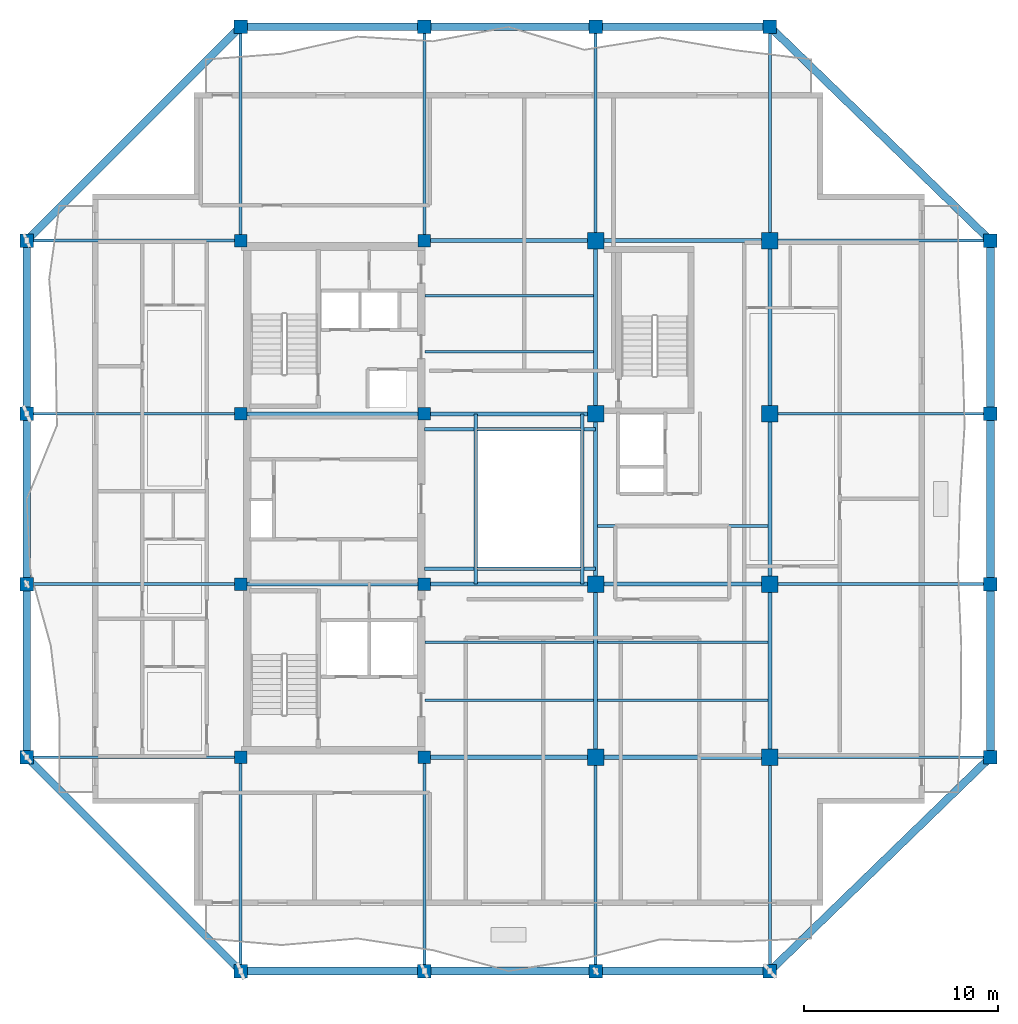
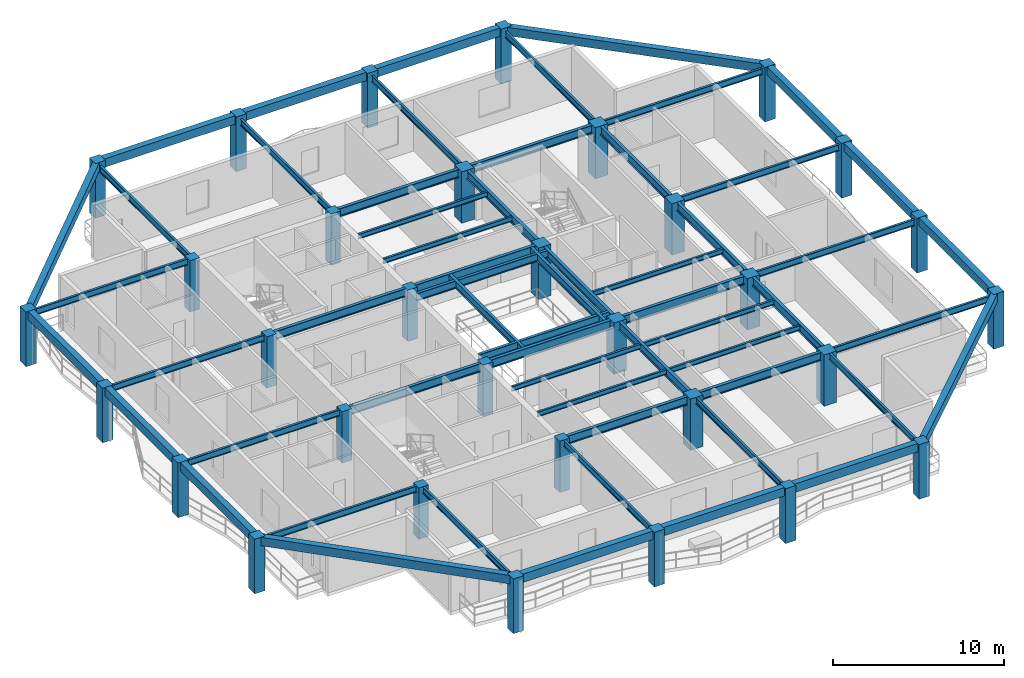
# One storey, part 1 of 11: 58 beams, 32 columns.
"""IFC4 building model written with IfcOpenShell, lengths in metres."""

from ifc_helpers import new_model, si_unit, direction, frame, origin, origin_2d, place, context, subcontext, project, spatial, rectangle, i_section, extrude, material, material_profile, profile_set, type_object, element, save


model = new_model("IFC4")

# Units and contexts
model_context = context("Model", 3, precision=1e-05, world=origin(), true_north=direction((0.0, 1.0)))
body_context = subcontext(model_context, "Body", "Model", "MODEL_VIEW")
ifc_project = project(units=[si_unit("LENGTHUNIT", "METRE"), si_unit("AREAUNIT", "SQUARE_METRE"), si_unit("VOLUMEUNIT", "CUBIC_METRE"), si_unit("PLANEANGLEUNIT", "RADIAN"), si_unit("MASSUNIT", "GRAM", prefix="KILO")], contexts=[model_context])

# Site, building, storey
site_placement = place(None, origin())
site = spatial("IfcSite", under=ifc_project, at=site_placement, CompositionType="ELEMENT")
building_placement = place(site_placement, origin())
building = spatial("IfcBuilding", under=site, at=building_placement, Name="Kundavana Baori Tower", CompositionType="ELEMENT")
storey_placement = place(building_placement, frame((0.0, 0.0, 260.89990234375)))
storey = spatial("IfcBuildingStorey", under=building, at=storey_placement, Name="L64", CompositionType="ELEMENT", Elevation=260.89990234375)

# Columns
ifc_material_1 = material(Name="Concrete C50/60", Category="concrete")
ifc_material_profile_1 = material_profile(ifc_material_1, rectangle(XDim=0.699951171875, YDim=0.699951171875, at=origin_2d()), Name="RC PF 700x700")
ifc_profile_set_1 = profile_set([ifc_material_profile_1], Name="Concrete C50/60")
column_type_1 = type_object("IfcColumnType", Name="COL-PF-700", PredefinedType="COLUMN", material=ifc_profile_set_1)
for number, where, z_axis, x_axis, name in (
    (1, (15.449951171875, 4.199951171875, 0.0), (0.0, 0.0, 1.0), (1.0, 0.0, 0.0), "L64 Stone-Clad Perimeter Frame Column PF-S1"),
    (2, (15.449951171875, 53.0, 0.0), (0.0, 0.0, 1.0), (1.0, 0.0, 0.0), "L64 Stone-Clad Perimeter Frame Column PF-N1"),
    (3, (24.949951171875, 4.199951171875, 0.0), (0.0, 0.0, 1.0), (1.0, 0.0, 0.0), "L64 Stone-Clad Perimeter Frame Column PF-S2"),
    (4, (24.949951171875, 53.0, 0.0), (0.0, 0.0, 1.0), (1.0, 0.0, 0.0), "L64 Stone-Clad Perimeter Frame Column PF-N2"),
    (5, (33.800048828125, 4.199951171875, 0.0), (0.0, 0.0, 1.0), (1.0, 0.0, 0.0), "L64 Stone-Clad Perimeter Frame Column PF-S3"),
    (6, (33.800048828125, 53.0, 0.0), (0.0, 0.0, 1.0), (1.0, 0.0, 0.0), "L64 Stone-Clad Perimeter Frame Column PF-N3"),
    (7, (42.800048828125, 4.199951171875, 0.0), (0.0, 0.0, 1.0), (1.0, 0.0, 0.0), "L64 Stone-Clad Perimeter Frame Column PF-S4"),
    (8, (42.800048828125, 53.0, 0.0), (0.0, 0.0, 1.0), (1.0, 0.0, 0.0), "L64 Stone-Clad Perimeter Frame Column PF-N4"),
    (9, (4.39990234375, 15.25, 0.0), (0.0, 0.0, 1.0), (1.0, 0.0, 0.0), "L64 Stone-Clad Perimeter Frame Column PF-W1"),
    (10, (54.199951171875, 15.25, 0.0), (0.0, 0.0, 1.0), (1.0, 0.0, 0.0), "L64 Stone-Clad Perimeter Frame Column PF-E1"),
    (11, (4.39990234375, 24.199951171875, 0.0), (0.0, 0.0, 1.0), (1.0, 0.0, 0.0), "L64 Stone-Clad Perimeter Frame Column PF-W2"),
    (12, (54.199951171875, 24.199951171875, 0.0), (0.0, 0.0, 1.0), (1.0, 0.0, 0.0), "L64 Stone-Clad Perimeter Frame Column PF-E2"),
    (13, (4.39990234375, 33.0, 0.0), (0.0, 0.0, 1.0), (1.0, 0.0, 0.0), "L64 Stone-Clad Perimeter Frame Column PF-W3"),
    (14, (54.199951171875, 33.0, 0.0), (0.0, 0.0, 1.0), (1.0, 0.0, 0.0), "L64 Stone-Clad Perimeter Frame Column PF-E3"),
    (15, (4.39990234375, 41.949951171875, 0.0), (0.0, 0.0, 1.0), (1.0, 0.0, 0.0), "L64 Stone-Clad Perimeter Frame Column PF-W4"),
    (16, (54.199951171875, 41.949951171875, 0.0), (0.0, 0.0, 1.0), (1.0, 0.0, 0.0), "L64 Stone-Clad Perimeter Frame Column PF-E4"),
):
    element("IfcColumn", number, at=place(storey_placement, frame(where, z_axis=z_axis, x_axis=x_axis)), inside=storey, type_object=column_type_1, Name=name, PredefinedType="COLUMN", context=body_context, shape_type="SweptSolid", body=[
        extrude(rectangle(XDim=0.699951171875, YDim=0.699951171875, at=origin_2d()), origin(), (0.0, 0.0, 1.0), 3.900146484375),
    ])
ifc_material_2 = material(Name="Concrete C50/60", Category="concrete")
ifc_material_profile_2 = material_profile(ifc_material_2, rectangle(XDim=0.64990234375, YDim=0.64990234375, at=origin_2d()), Name="RC 650x650")
ifc_profile_set_2 = profile_set([ifc_material_profile_2], Name="Concrete C50/60")
column_type_2 = type_object("IfcColumnType", Name="COL-RC-650", PredefinedType="COLUMN", material=ifc_profile_set_2)
for number, where, z_axis, x_axis, name in (
    (17, (15.449951171875, 15.25, 0.0), (0.0, 0.0, 1.0), (1.0, 0.0, 0.0), "L64 Interior Column IC-3C"),
    (18, (15.449951171875, 24.199951171875, 0.0), (0.0, 0.0, 1.0), (1.0, 0.0, 0.0), "L64 Interior Column IC-3D"),
    (19, (15.449951171875, 33.0, 0.0), (0.0, 0.0, 1.0), (1.0, 0.0, 0.0), "L64 Interior Column IC-3E"),
    (20, (15.449951171875, 41.949951171875, 0.0), (0.0, 0.0, 1.0), (1.0, 0.0, 0.0), "L64 Interior Column IC-3F"),
    (21, (24.949951171875, 15.25, 0.0), (0.0, 0.0, 1.0), (1.0, 0.0, 0.0), "L64 Interior Column IC-4C"),
    (22, (24.949951171875, 24.199951171875, 0.0), (0.0, 0.0, 1.0), (1.0, 0.0, 0.0), "L64 Interior Column IC-4D"),
    (23, (24.949951171875, 33.0, 0.0), (0.0, 0.0, 1.0), (1.0, 0.0, 0.0), "L64 Interior Column IC-4E"),
    (24, (24.949951171875, 41.949951171875, 0.0), (0.0, 0.0, 1.0), (1.0, 0.0, 0.0), "L64 Interior Column IC-4F"),
):
    element("IfcColumn", number, at=place(storey_placement, frame(where, z_axis=z_axis, x_axis=x_axis)), inside=storey, type_object=column_type_2, Name=name, PredefinedType="COLUMN", context=body_context, shape_type="SweptSolid", body=[
        extrude(rectangle(XDim=0.64990234375, YDim=0.64990234375, at=origin_2d()), origin(), (0.0, 0.0, 1.0), 3.66015625),
    ])
ifc_material_3 = material(Name="Concrete C50/60", Category="concrete")
ifc_material_profile_3 = material_profile(ifc_material_3, rectangle(XDim=0.85009765625, YDim=0.85009765625, at=origin_2d()), Name="RC 850x850")
ifc_profile_set_3 = profile_set([ifc_material_profile_3], Name="Concrete C50/60")
column_type_3 = type_object("IfcColumnType", Name="COL-RC-850", PredefinedType="COLUMN", material=ifc_profile_set_3)
for number, where, z_axis, x_axis, name in (
    (25, (33.800048828125, 15.25, 0.0), (0.0, 0.0, 1.0), (1.0, 0.0, 0.0), "L64 Interior Column IC-5C"),
    (26, (33.800048828125, 24.199951171875, 0.0), (0.0, 0.0, 1.0), (1.0, 0.0, 0.0), "L64 Interior Column IC-5D"),
    (27, (33.800048828125, 33.0, 0.0), (0.0, 0.0, 1.0), (1.0, 0.0, 0.0), "L64 Interior Column IC-5E"),
    (28, (33.800048828125, 41.949951171875, 0.0), (0.0, 0.0, 1.0), (1.0, 0.0, 0.0), "L64 Interior Column IC-5F"),
    (29, (42.800048828125, 15.25, 0.0), (0.0, 0.0, 1.0), (1.0, 0.0, 0.0), "L64 Interior Column IC-6C"),
    (30, (42.800048828125, 24.199951171875, 0.0), (0.0, 0.0, 1.0), (1.0, 0.0, 0.0), "L64 Interior Column IC-6D"),
    (31, (42.800048828125, 33.0, 0.0), (0.0, 0.0, 1.0), (1.0, 0.0, 0.0), "L64 Interior Column IC-6E"),
    (32, (42.800048828125, 41.949951171875, 0.0), (0.0, 0.0, 1.0), (1.0, 0.0, 0.0), "L64 Interior Column IC-6F"),
):
    element("IfcColumn", number, at=place(storey_placement, frame(where, z_axis=z_axis, x_axis=x_axis)), inside=storey, type_object=column_type_3, Name=name, PredefinedType="COLUMN", context=body_context, shape_type="SweptSolid", body=[
        extrude(rectangle(XDim=0.85009765625, YDim=0.85009765625, at=origin_2d()), origin(), (0.0, 0.0, 1.0), 3.66015625),
    ])

# Beams
ifc_material_4 = material(Name="Structural Steel S355JR", Category="steel")
ifc_material_profile_4 = material_profile(ifc_material_4, i_section(OverallWidth=0.139892578125, OverallDepth=0.35009765625, WebThickness=0.008056640625, FlangeThickness=0.01416015625, FilletRadius=0.013916015625, at=origin_2d()), Name="ISMB 350")
ifc_profile_set_4 = profile_set([ifc_material_profile_4], Name="Structural Steel S355JR")
beam_type_1 = type_object("IfcBeamType", Name="BM-JST-350", PredefinedType="JOIST", material=ifc_profile_set_4)
for number, where, z_axis, x_axis, name in (
    (33, (24.97998046875, 18.199951171875, 3.485107421875), (1.0, 0.0, 0.0), (0.0, 1.0, 0.0), "L64 Central Bay Composite Floor Joist C1"),
    (34, (24.97998046875, 21.199951171875, 3.485107421875), (1.0, 0.0, 0.0), (0.0, 1.0, 0.0), "L64 Central Bay Composite Floor Joist C2"),
    (35, (24.97998046875, 36.199951171875, 3.485107421875), (1.0, 0.0, 0.0), (0.0, 1.0, 0.0), "L64 Central Bay Composite Floor Joist C3"),
    (36, (24.97998046875, 39.10009765625, 3.485107421875), (1.0, 0.0, 0.0), (0.0, 1.0, 0.0), "L64 Central Bay Composite Floor Joist C4"),
):
    element("IfcBeam", number, at=place(storey_placement, frame(where, z_axis=z_axis, x_axis=x_axis)), inside=storey, type_object=beam_type_1, Name=name, PredefinedType="JOIST", context=body_context, shape_type="SweptSolid", body=[
        extrude(i_section(OverallWidth=0.139892578125, OverallDepth=0.35009765625, WebThickness=0.008056640625, FlangeThickness=0.01416015625, FilletRadius=0.013916015625, at=origin_2d()), origin(), (0.0, 0.0, 1.0), 8.715087890625),
    ])
for number, where, z_axis, x_axis, name in (
    (37, (33.905029296875, 18.199951171875, 3.485107421875), (1.0, 0.0, 0.0), (0.0, 1.0, 0.0), "L64 East Bay Composite Floor Joist E1"),
    (38, (33.905029296875, 21.199951171875, 3.485107421875), (1.0, 0.0, 0.0), (0.0, 1.0, 0.0), "L64 East Bay Composite Floor Joist E2"),
    (39, (33.905029296875, 27.199951171875, 3.485107421875), (1.0, 0.0, 0.0), (0.0, 1.0, 0.0), "L64 East Bay Composite Floor Joist E3"),
):
    element("IfcBeam", number, at=place(storey_placement, frame(where, z_axis=z_axis, x_axis=x_axis)), inside=storey, type_object=beam_type_1, Name=name, PredefinedType="JOIST", context=body_context, shape_type="SweptSolid", body=[
        extrude(i_section(OverallWidth=0.139892578125, OverallDepth=0.35009765625, WebThickness=0.008056640625, FlangeThickness=0.01416015625, FilletRadius=0.013916015625, at=origin_2d()), origin(), (0.0, 0.0, 1.0), 8.7900390625),
    ])
ifc_material_5 = material(Name="Concrete C50/60", Category="concrete")
ifc_material_profile_5 = material_profile(ifc_material_5, rectangle(XDim=0.39990234375, YDim=0.60009765625, at=origin_2d()), Name="RC BM 400x600")
ifc_profile_set_5 = profile_set([ifc_material_profile_5], Name="Concrete C50/60")
beam_type_2 = type_object("IfcBeamType", Name="BM-PF-600", PredefinedType="SPANDREL", material=ifc_profile_set_5)
beam_1_placement = place(storey_placement, frame((15.449951171875, 4.199951171875, 3.60009765625), z_axis=(1.0, 0.0, 0.0), x_axis=(0.0, 1.0, 0.0)))
element("IfcBeam", 40, at=beam_1_placement, inside=storey, type_object=beam_type_2, Name="L64 Perimeter Frame Ring Beam S1", PredefinedType="SPANDREL", context=body_context, shape_type="SweptSolid", body=[
    extrude(rectangle(XDim=0.39990234375, YDim=0.60009765625, at=origin_2d()), origin(), (0.0, 0.0, 1.0), 9.5),
])
beam_2_placement = place(storey_placement, frame((24.949951171875, 4.199951171875, 3.60009765625), z_axis=(1.0, 0.0, 0.0), x_axis=(0.0, 1.0, 0.0)))
element("IfcBeam", 41, at=beam_2_placement, inside=storey, type_object=beam_type_2, Name="L64 Perimeter Frame Ring Beam S2", PredefinedType="SPANDREL", context=body_context, shape_type="SweptSolid", body=[
    extrude(rectangle(XDim=0.39990234375, YDim=0.60009765625, at=origin_2d()), origin(), (0.0, 0.0, 1.0), 8.85009765625),
])
beam_3_placement = place(storey_placement, frame((33.800048828125, 4.199951171875, 3.60009765625), z_axis=(1.0, 0.0, 0.0), x_axis=(0.0, 1.0, 0.0)))
element("IfcBeam", 42, at=beam_3_placement, inside=storey, type_object=beam_type_2, Name="L64 Perimeter Frame Ring Beam S3", PredefinedType="SPANDREL", context=body_context, shape_type="SweptSolid", body=[
    extrude(rectangle(XDim=0.39990234375, YDim=0.60009765625, at=origin_2d()), origin(), (0.0, 0.0, 1.0), 9.0),
])
beam_4_placement = place(storey_placement, frame((15.449951171875, 53.0, 3.60009765625), z_axis=(1.0, 0.0, 0.0), x_axis=(0.0, 1.0, 0.0)))
element("IfcBeam", 43, at=beam_4_placement, inside=storey, type_object=beam_type_2, Name="L64 Perimeter Frame Ring Beam N1", PredefinedType="SPANDREL", context=body_context, shape_type="SweptSolid", body=[
    extrude(rectangle(XDim=0.39990234375, YDim=0.60009765625, at=origin_2d()), origin(), (0.0, 0.0, 1.0), 9.5),
])
beam_5_placement = place(storey_placement, frame((24.949951171875, 53.0, 3.60009765625), z_axis=(1.0, 0.0, 0.0), x_axis=(0.0, 1.0, 0.0)))
element("IfcBeam", 44, at=beam_5_placement, inside=storey, type_object=beam_type_2, Name="L64 Perimeter Frame Ring Beam N2", PredefinedType="SPANDREL", context=body_context, shape_type="SweptSolid", body=[
    extrude(rectangle(XDim=0.39990234375, YDim=0.60009765625, at=origin_2d()), origin(), (0.0, 0.0, 1.0), 8.85009765625),
])
beam_6_placement = place(storey_placement, frame((33.800048828125, 53.0, 3.60009765625), z_axis=(1.0, 0.0, 0.0), x_axis=(0.0, 1.0, 0.0)))
element("IfcBeam", 45, at=beam_6_placement, inside=storey, type_object=beam_type_2, Name="L64 Perimeter Frame Ring Beam N3", PredefinedType="SPANDREL", context=body_context, shape_type="SweptSolid", body=[
    extrude(rectangle(XDim=0.39990234375, YDim=0.60009765625, at=origin_2d()), origin(), (0.0, 0.0, 1.0), 9.0),
])
beam_7_placement = place(storey_placement, frame((4.39990234375, 15.25, 3.60009765625), z_axis=(0.0, 1.0, 0.0), x_axis=(-1.0, 0.0, 0.0)))
element("IfcBeam", 46, at=beam_7_placement, inside=storey, type_object=beam_type_2, Name="L64 Perimeter Frame Ring Beam W1", PredefinedType="SPANDREL", context=body_context, shape_type="SweptSolid", body=[
    extrude(rectangle(XDim=0.39990234375, YDim=0.60009765625, at=origin_2d()), origin(), (0.0, 0.0, 1.0), 8.949951171875),
])
beam_8_placement = place(storey_placement, frame((4.39990234375, 24.199951171875, 3.60009765625), z_axis=(0.0, 1.0, 0.0), x_axis=(-1.0, 0.0, 0.0)))
element("IfcBeam", 47, at=beam_8_placement, inside=storey, type_object=beam_type_2, Name="L64 Perimeter Frame Ring Beam W2", PredefinedType="SPANDREL", context=body_context, shape_type="SweptSolid", body=[
    extrude(rectangle(XDim=0.39990234375, YDim=0.60009765625, at=origin_2d()), origin(), (0.0, 0.0, 1.0), 8.800048828125),
])
for number, where, z_axis, x_axis, name in (
    (48, (4.39990234375, 33.0, 3.60009765625), (0.0, 1.0, 0.0), (-1.0, 0.0, 0.0), "L64 Perimeter Frame Ring Beam W3"),
    (49, (54.199951171875, 15.25, 3.60009765625), (0.0, 1.0, 0.0), (-1.0, 0.0, 0.0), "L64 Perimeter Frame Ring Beam E1"),
):
    element("IfcBeam", number, at=place(storey_placement, frame(where, z_axis=z_axis, x_axis=x_axis)), inside=storey, type_object=beam_type_2, Name=name, PredefinedType="SPANDREL", context=body_context, shape_type="SweptSolid", body=[
        extrude(rectangle(XDim=0.39990234375, YDim=0.60009765625, at=origin_2d()), origin(), (0.0, 0.0, 1.0), 8.949951171875),
    ])
beam_9_placement = place(storey_placement, frame((54.199951171875, 24.199951171875, 3.60009765625), z_axis=(0.0, 1.0, 0.0), x_axis=(-1.0, 0.0, 0.0)))
element("IfcBeam", 50, at=beam_9_placement, inside=storey, type_object=beam_type_2, Name="L64 Perimeter Frame Ring Beam E2", PredefinedType="SPANDREL", context=body_context, shape_type="SweptSolid", body=[
    extrude(rectangle(XDim=0.39990234375, YDim=0.60009765625, at=origin_2d()), origin(), (0.0, 0.0, 1.0), 8.800048828125),
])
beam_10_placement = place(storey_placement, frame((54.199951171875, 33.0, 3.60009765625), z_axis=(0.0, 1.0, 0.0), x_axis=(-1.0, 0.0, 0.0)))
element("IfcBeam", 51, at=beam_10_placement, inside=storey, type_object=beam_type_2, Name="L64 Perimeter Frame Ring Beam E3", PredefinedType="SPANDREL", context=body_context, shape_type="SweptSolid", body=[
    extrude(rectangle(XDim=0.39990234375, YDim=0.60009765625, at=origin_2d()), origin(), (0.0, 0.0, 1.0), 8.949951171875),
])
beam_11_placement = place(storey_placement, frame((15.449951171875, 4.199951171875, 3.60009765625), z_axis=(-0.707106781187, 0.707106781187, 0.0), x_axis=(-0.707106781187, -0.707106781187, 0.0)))
element("IfcBeam", 52, at=beam_11_placement, inside=storey, type_object=beam_type_2, Name="L64 Notched Corner Perimeter Beam SW", PredefinedType="SPANDREL", context=body_context, shape_type="SweptSolid", body=[
    extrude(rectangle(XDim=0.39990234375, YDim=0.60009765625, at=origin_2d()), origin(), (0.0, 0.0, 1.0), 15.627197265625),
])
beam_12_placement = place(storey_placement, frame((42.800048828125, 4.199951171875, 3.60009765625), z_axis=(0.718038944492, 0.696002926857, 0.0), x_axis=(-0.696002926857, 0.718038944492, 0.0)))
element("IfcBeam", 53, at=beam_12_placement, inside=storey, type_object=beam_type_2, Name="L64 Notched Corner Perimeter Beam SE", PredefinedType="SPANDREL", context=body_context, shape_type="SweptSolid", body=[
    extrude(rectangle(XDim=0.39990234375, YDim=0.60009765625, at=origin_2d()), origin(), (0.0, 0.0, 1.0), 15.87646484375),
])
beam_13_placement = place(storey_placement, frame((15.449951171875, 53.0, 3.60009765625), z_axis=(-0.707106781187, -0.707106781187, 0.0), x_axis=(0.707106781187, -0.707106781187, 0.0)))
element("IfcBeam", 54, at=beam_13_placement, inside=storey, type_object=beam_type_2, Name="L64 Notched Corner Perimeter Beam NW", PredefinedType="SPANDREL", context=body_context, shape_type="SweptSolid", body=[
    extrude(rectangle(XDim=0.39990234375, YDim=0.60009765625, at=origin_2d()), origin(), (0.0, 0.0, 1.0), 15.627197265625),
])
beam_14_placement = place(storey_placement, frame((42.800048828125, 53.0, 3.60009765625), z_axis=(0.718038944492, -0.696002926857, 0.0), x_axis=(0.696002926857, 0.718038944492, 0.0)))
element("IfcBeam", 55, at=beam_14_placement, inside=storey, type_object=beam_type_2, Name="L64 Notched Corner Perimeter Beam NE", PredefinedType="SPANDREL", context=body_context, shape_type="SweptSolid", body=[
    extrude(rectangle(XDim=0.39990234375, YDim=0.60009765625, at=origin_2d()), origin(), (0.0, 0.0, 1.0), 15.87646484375),
])
ifc_material_6 = material(Name="Structural Steel S355JR", Category="steel")
ifc_material_profile_6 = material_profile(ifc_material_6, i_section(OverallWidth=0.18994140625, OverallDepth=0.550048828125, WebThickness=0.01123046875, FlangeThickness=0.019287109375, FilletRadius=0.01806640625, at=origin_2d()), Name="ISMB 550")
ifc_profile_set_6 = profile_set([ifc_material_profile_6], Name="Structural Steel S355JR")
beam_type_3 = type_object("IfcBeamType", Name="BM-ST-550", PredefinedType="BEAM", material=ifc_profile_set_6)
for number, where, z_axis, x_axis, name in (
    (56, (27.60009765625, 24.199951171875, 3.385009765625), (0.0, 1.0, 0.0), (-1.0, 0.0, 0.0), "L64 Atrium West Edge Beam"),
    (57, (33.10009765625, 24.199951171875, 3.385009765625), (0.0, 1.0, 0.0), (-1.0, 0.0, 0.0), "L64 Atrium East Edge Beam"),
):
    element("IfcBeam", number, at=place(storey_placement, frame(where, z_axis=z_axis, x_axis=x_axis)), inside=storey, type_object=beam_type_3, Name=name, PredefinedType="BEAM", context=body_context, shape_type="SweptSolid", body=[
        extrude(i_section(OverallWidth=0.18994140625, OverallDepth=0.550048828125, WebThickness=0.01123046875, FlangeThickness=0.019287109375, FilletRadius=0.01806640625, at=origin_2d()), origin(), (0.0, 0.0, 1.0), 8.800048828125),
    ])
for number, where, z_axis, x_axis, name in (
    (58, (24.949951171875, 25.0, 3.385009765625), (1.0, 0.0, 0.0), (0.0, 1.0, 0.0), "L64 Atrium South Edge Beam"),
    (59, (24.949951171875, 32.199951171875, 3.385009765625), (1.0, 0.0, 0.0), (0.0, 1.0, 0.0), "L64 Atrium North Edge Beam"),
):
    element("IfcBeam", number, at=place(storey_placement, frame(where, z_axis=z_axis, x_axis=x_axis)), inside=storey, type_object=beam_type_3, Name=name, PredefinedType="BEAM", context=body_context, shape_type="SweptSolid", body=[
        extrude(i_section(OverallWidth=0.18994140625, OverallDepth=0.550048828125, WebThickness=0.01123046875, FlangeThickness=0.019287109375, FilletRadius=0.01806640625, at=origin_2d()), origin(), (0.0, 0.0, 1.0), 8.85009765625),
    ])
ifc_material_7 = material(Name="Structural Steel S355JR", Category="steel")
ifc_material_profile_7 = material_profile(ifc_material_7, i_section(OverallWidth=0.2099609375, OverallDepth=0.60009765625, WebThickness=0.011962890625, FlangeThickness=0.020751953125, FilletRadius=0.02001953125, at=origin_2d()), Name="ISMB 600")
ifc_profile_set_7 = profile_set([ifc_material_profile_7], Name="Structural Steel S355JR")
beam_type_4 = type_object("IfcBeamType", Name="BM-ST-600", PredefinedType="BEAM", material=ifc_profile_set_7)
beam_15_placement = place(storey_placement, frame((24.949951171875, 15.25, 3.360107421875), z_axis=(1.0, 0.0, 0.0), x_axis=(0.0, 1.0, 0.0)))
element("IfcBeam", 60, at=beam_15_placement, inside=storey, type_object=beam_type_4, Name="L64 Primary Grid Girder GX-1-2", PredefinedType="BEAM", context=body_context, shape_type="SweptSolid", body=[
    extrude(i_section(OverallWidth=0.2099609375, OverallDepth=0.60009765625, WebThickness=0.011962890625, FlangeThickness=0.020751953125, FilletRadius=0.02001953125, at=origin_2d()), origin(), (0.0, 0.0, 1.0), 8.85009765625),
])
beam_16_placement = place(storey_placement, frame((33.800048828125, 15.25, 3.360107421875), z_axis=(1.0, 0.0, 0.0), x_axis=(0.0, 1.0, 0.0)))
element("IfcBeam", 61, at=beam_16_placement, inside=storey, type_object=beam_type_4, Name="L64 Primary Grid Girder GX-1-3", PredefinedType="BEAM", context=body_context, shape_type="SweptSolid", body=[
    extrude(i_section(OverallWidth=0.2099609375, OverallDepth=0.60009765625, WebThickness=0.011962890625, FlangeThickness=0.020751953125, FilletRadius=0.02001953125, at=origin_2d()), origin(), (0.0, 0.0, 1.0), 9.0),
])
beam_17_placement = place(storey_placement, frame((15.449951171875, 24.199951171875, 3.360107421875), z_axis=(1.0, 0.0, 0.0), x_axis=(0.0, 1.0, 0.0)))
element("IfcBeam", 62, at=beam_17_placement, inside=storey, type_object=beam_type_4, Name="L64 Primary Grid Girder GX-2-1", PredefinedType="BEAM", context=body_context, shape_type="SweptSolid", body=[
    extrude(i_section(OverallWidth=0.2099609375, OverallDepth=0.60009765625, WebThickness=0.011962890625, FlangeThickness=0.020751953125, FilletRadius=0.02001953125, at=origin_2d()), origin(), (0.0, 0.0, 1.0), 9.5),
])
beam_18_placement = place(storey_placement, frame((24.949951171875, 24.199951171875, 3.360107421875), z_axis=(1.0, 0.0, 0.0), x_axis=(0.0, 1.0, 0.0)))
element("IfcBeam", 63, at=beam_18_placement, inside=storey, type_object=beam_type_4, Name="L64 Primary Grid Girder GX-2-2", PredefinedType="BEAM", context=body_context, shape_type="SweptSolid", body=[
    extrude(i_section(OverallWidth=0.2099609375, OverallDepth=0.60009765625, WebThickness=0.011962890625, FlangeThickness=0.020751953125, FilletRadius=0.02001953125, at=origin_2d()), origin(), (0.0, 0.0, 1.0), 8.85009765625),
])
beam_19_placement = place(storey_placement, frame((33.800048828125, 24.199951171875, 3.360107421875), z_axis=(1.0, 0.0, 0.0), x_axis=(0.0, 1.0, 0.0)))
element("IfcBeam", 64, at=beam_19_placement, inside=storey, type_object=beam_type_4, Name="L64 Primary Grid Girder GX-2-3", PredefinedType="BEAM", context=body_context, shape_type="SweptSolid", body=[
    extrude(i_section(OverallWidth=0.2099609375, OverallDepth=0.60009765625, WebThickness=0.011962890625, FlangeThickness=0.020751953125, FilletRadius=0.02001953125, at=origin_2d()), origin(), (0.0, 0.0, 1.0), 9.0),
])
beam_20_placement = place(storey_placement, frame((15.449951171875, 33.0, 3.360107421875), z_axis=(1.0, 0.0, 0.0), x_axis=(0.0, 1.0, 0.0)))
element("IfcBeam", 65, at=beam_20_placement, inside=storey, type_object=beam_type_4, Name="L64 Primary Grid Girder GX-3-1", PredefinedType="BEAM", context=body_context, shape_type="SweptSolid", body=[
    extrude(i_section(OverallWidth=0.2099609375, OverallDepth=0.60009765625, WebThickness=0.011962890625, FlangeThickness=0.020751953125, FilletRadius=0.02001953125, at=origin_2d()), origin(), (0.0, 0.0, 1.0), 9.5),
])
for number, where, z_axis, x_axis, name in (
    (66, (24.949951171875, 33.0, 3.360107421875), (1.0, 0.0, 0.0), (0.0, 1.0, 0.0), "L64 Primary Grid Girder GX-3-2"),
    (67, (24.949951171875, 41.949951171875, 3.360107421875), (1.0, 0.0, 0.0), (0.0, 1.0, 0.0), "L64 Primary Grid Girder GX-4-2"),
):
    element("IfcBeam", number, at=place(storey_placement, frame(where, z_axis=z_axis, x_axis=x_axis)), inside=storey, type_object=beam_type_4, Name=name, PredefinedType="BEAM", context=body_context, shape_type="SweptSolid", body=[
        extrude(i_section(OverallWidth=0.2099609375, OverallDepth=0.60009765625, WebThickness=0.011962890625, FlangeThickness=0.020751953125, FilletRadius=0.02001953125, at=origin_2d()), origin(), (0.0, 0.0, 1.0), 8.85009765625),
    ])
beam_21_placement = place(storey_placement, frame((33.800048828125, 41.949951171875, 3.360107421875), z_axis=(1.0, 0.0, 0.0), x_axis=(0.0, 1.0, 0.0)))
element("IfcBeam", 68, at=beam_21_placement, inside=storey, type_object=beam_type_4, Name="L64 Primary Grid Girder GX-4-3", PredefinedType="BEAM", context=body_context, shape_type="SweptSolid", body=[
    extrude(i_section(OverallWidth=0.2099609375, OverallDepth=0.60009765625, WebThickness=0.011962890625, FlangeThickness=0.020751953125, FilletRadius=0.02001953125, at=origin_2d()), origin(), (0.0, 0.0, 1.0), 9.0),
])
beam_22_placement = place(storey_placement, frame((33.800048828125, 15.25, 3.360107421875), z_axis=(0.0, 1.0, 0.0), x_axis=(-1.0, 0.0, 0.0)))
element("IfcBeam", 69, at=beam_22_placement, inside=storey, type_object=beam_type_4, Name="L64 Primary Grid Girder GY-3-1", PredefinedType="BEAM", context=body_context, shape_type="SweptSolid", body=[
    extrude(i_section(OverallWidth=0.2099609375, OverallDepth=0.60009765625, WebThickness=0.011962890625, FlangeThickness=0.020751953125, FilletRadius=0.02001953125, at=origin_2d()), origin(), (0.0, 0.0, 1.0), 8.949951171875),
])
beam_23_placement = place(storey_placement, frame((33.800048828125, 24.199951171875, 3.360107421875), z_axis=(0.0, 1.0, 0.0), x_axis=(-1.0, 0.0, 0.0)))
element("IfcBeam", 70, at=beam_23_placement, inside=storey, type_object=beam_type_4, Name="L64 Primary Grid Girder GY-3-2", PredefinedType="BEAM", context=body_context, shape_type="SweptSolid", body=[
    extrude(i_section(OverallWidth=0.2099609375, OverallDepth=0.60009765625, WebThickness=0.011962890625, FlangeThickness=0.020751953125, FilletRadius=0.02001953125, at=origin_2d()), origin(), (0.0, 0.0, 1.0), 8.800048828125),
])
for number, where, z_axis, x_axis, name in (
    (71, (33.800048828125, 33.0, 3.360107421875), (0.0, 1.0, 0.0), (-1.0, 0.0, 0.0), "L64 Primary Grid Girder GY-3-3"),
    (72, (42.800048828125, 15.25, 3.360107421875), (0.0, 1.0, 0.0), (-1.0, 0.0, 0.0), "L64 Primary Grid Girder GY-4-1"),
):
    element("IfcBeam", number, at=place(storey_placement, frame(where, z_axis=z_axis, x_axis=x_axis)), inside=storey, type_object=beam_type_4, Name=name, PredefinedType="BEAM", context=body_context, shape_type="SweptSolid", body=[
        extrude(i_section(OverallWidth=0.2099609375, OverallDepth=0.60009765625, WebThickness=0.011962890625, FlangeThickness=0.020751953125, FilletRadius=0.02001953125, at=origin_2d()), origin(), (0.0, 0.0, 1.0), 8.949951171875),
    ])
beam_24_placement = place(storey_placement, frame((42.800048828125, 24.199951171875, 3.360107421875), z_axis=(0.0, 1.0, 0.0), x_axis=(-1.0, 0.0, 0.0)))
element("IfcBeam", 73, at=beam_24_placement, inside=storey, type_object=beam_type_4, Name="L64 Primary Grid Girder GY-4-2", PredefinedType="BEAM", context=body_context, shape_type="SweptSolid", body=[
    extrude(i_section(OverallWidth=0.2099609375, OverallDepth=0.60009765625, WebThickness=0.011962890625, FlangeThickness=0.020751953125, FilletRadius=0.02001953125, at=origin_2d()), origin(), (0.0, 0.0, 1.0), 8.800048828125),
])
beam_25_placement = place(storey_placement, frame((42.800048828125, 33.0, 3.360107421875), z_axis=(0.0, 1.0, 0.0), x_axis=(-1.0, 0.0, 0.0)))
element("IfcBeam", 74, at=beam_25_placement, inside=storey, type_object=beam_type_4, Name="L64 Primary Grid Girder GY-4-3", PredefinedType="BEAM", context=body_context, shape_type="SweptSolid", body=[
    extrude(i_section(OverallWidth=0.2099609375, OverallDepth=0.60009765625, WebThickness=0.011962890625, FlangeThickness=0.020751953125, FilletRadius=0.02001953125, at=origin_2d()), origin(), (0.0, 0.0, 1.0), 8.949951171875),
])
ifc_material_8 = material(Name="Structural Steel S355JR", Category="steel")
ifc_material_profile_8 = material_profile(ifc_material_8, i_section(OverallWidth=0.14990234375, OverallDepth=0.449951171875, WebThickness=0.009521484375, FlangeThickness=0.017333984375, FilletRadius=0.014892578125, at=origin_2d()), Name="ISMB 450")
ifc_profile_set_8 = profile_set([ifc_material_profile_8], Name="Structural Steel S355JR")
beam_type_5 = type_object("IfcBeamType", Name="BM-TIE-450", PredefinedType="BEAM", material=ifc_profile_set_8)
for number, where, z_axis, x_axis, name in (
    (75, (15.449951171875, 15.25, 3.43505859375), (0.0, -1.0, 0.0), (1.0, 0.0, 0.0), "L64 South Radial Loggia Tie Beam S1"),
    (76, (15.449951171875, 41.949951171875, 3.43505859375), (0.0, 1.0, 0.0), (-1.0, 0.0, 0.0), "L64 North Radial Loggia Tie Beam N1"),
    (77, (24.949951171875, 15.25, 3.43505859375), (0.0, -1.0, 0.0), (1.0, 0.0, 0.0), "L64 South Radial Loggia Tie Beam S2"),
    (78, (24.949951171875, 41.949951171875, 3.43505859375), (0.0, 1.0, 0.0), (-1.0, 0.0, 0.0), "L64 North Radial Loggia Tie Beam N2"),
    (79, (33.800048828125, 15.25, 3.43505859375), (0.0, -1.0, 0.0), (1.0, 0.0, 0.0), "L64 South Radial Loggia Tie Beam S3"),
    (80, (33.800048828125, 41.949951171875, 3.43505859375), (0.0, 1.0, 0.0), (-1.0, 0.0, 0.0), "L64 North Radial Loggia Tie Beam N3"),
    (81, (42.800048828125, 15.25, 3.43505859375), (0.0, -1.0, 0.0), (1.0, 0.0, 0.0), "L64 South Radial Loggia Tie Beam S4"),
    (82, (42.800048828125, 41.949951171875, 3.43505859375), (0.0, 1.0, 0.0), (-1.0, 0.0, 0.0), "L64 North Radial Loggia Tie Beam N4"),
    (83, (15.449951171875, 15.25, 3.43505859375), (-1.0, 0.0, 0.0), (0.0, -1.0, 0.0), "L64 West Radial Loggia Tie Beam W1"),
):
    element("IfcBeam", number, at=place(storey_placement, frame(where, z_axis=z_axis, x_axis=x_axis)), inside=storey, type_object=beam_type_5, Name=name, PredefinedType="BEAM", context=body_context, shape_type="SweptSolid", body=[
        extrude(i_section(OverallWidth=0.14990234375, OverallDepth=0.449951171875, WebThickness=0.009521484375, FlangeThickness=0.017333984375, FilletRadius=0.014892578125, at=origin_2d()), origin(), (0.0, 0.0, 1.0), 11.050048828125),
    ])
beam_26_placement = place(storey_placement, frame((42.800048828125, 15.25, 3.43505859375), z_axis=(1.0, 0.0, 0.0), x_axis=(0.0, 1.0, 0.0)))
element("IfcBeam", 84, at=beam_26_placement, inside=storey, type_object=beam_type_5, Name="L64 East Radial Loggia Tie Beam E1", PredefinedType="BEAM", context=body_context, shape_type="SweptSolid", body=[
    extrude(i_section(OverallWidth=0.14990234375, OverallDepth=0.449951171875, WebThickness=0.009521484375, FlangeThickness=0.017333984375, FilletRadius=0.014892578125, at=origin_2d()), origin(), (0.0, 0.0, 1.0), 11.39990234375),
])
beam_27_placement = place(storey_placement, frame((15.449951171875, 24.199951171875, 3.43505859375), z_axis=(-1.0, 0.0, 0.0), x_axis=(0.0, -1.0, 0.0)))
element("IfcBeam", 85, at=beam_27_placement, inside=storey, type_object=beam_type_5, Name="L64 West Radial Loggia Tie Beam W2", PredefinedType="BEAM", context=body_context, shape_type="SweptSolid", body=[
    extrude(i_section(OverallWidth=0.14990234375, OverallDepth=0.449951171875, WebThickness=0.009521484375, FlangeThickness=0.017333984375, FilletRadius=0.014892578125, at=origin_2d()), origin(), (0.0, 0.0, 1.0), 11.050048828125),
])
beam_28_placement = place(storey_placement, frame((42.800048828125, 24.199951171875, 3.43505859375), z_axis=(1.0, 0.0, 0.0), x_axis=(0.0, 1.0, 0.0)))
element("IfcBeam", 86, at=beam_28_placement, inside=storey, type_object=beam_type_5, Name="L64 East Radial Loggia Tie Beam E2", PredefinedType="BEAM", context=body_context, shape_type="SweptSolid", body=[
    extrude(i_section(OverallWidth=0.14990234375, OverallDepth=0.449951171875, WebThickness=0.009521484375, FlangeThickness=0.017333984375, FilletRadius=0.014892578125, at=origin_2d()), origin(), (0.0, 0.0, 1.0), 11.39990234375),
])
beam_29_placement = place(storey_placement, frame((15.449951171875, 33.0, 3.43505859375), z_axis=(-1.0, 0.0, 0.0), x_axis=(0.0, -1.0, 0.0)))
element("IfcBeam", 87, at=beam_29_placement, inside=storey, type_object=beam_type_5, Name="L64 West Radial Loggia Tie Beam W3", PredefinedType="BEAM", context=body_context, shape_type="SweptSolid", body=[
    extrude(i_section(OverallWidth=0.14990234375, OverallDepth=0.449951171875, WebThickness=0.009521484375, FlangeThickness=0.017333984375, FilletRadius=0.014892578125, at=origin_2d()), origin(), (0.0, 0.0, 1.0), 11.050048828125),
])
beam_30_placement = place(storey_placement, frame((42.800048828125, 33.0, 3.43505859375), z_axis=(1.0, 0.0, 0.0), x_axis=(0.0, 1.0, 0.0)))
element("IfcBeam", 88, at=beam_30_placement, inside=storey, type_object=beam_type_5, Name="L64 East Radial Loggia Tie Beam E3", PredefinedType="BEAM", context=body_context, shape_type="SweptSolid", body=[
    extrude(i_section(OverallWidth=0.14990234375, OverallDepth=0.449951171875, WebThickness=0.009521484375, FlangeThickness=0.017333984375, FilletRadius=0.014892578125, at=origin_2d()), origin(), (0.0, 0.0, 1.0), 11.39990234375),
])
beam_31_placement = place(storey_placement, frame((15.449951171875, 41.949951171875, 3.43505859375), z_axis=(-1.0, 0.0, 0.0), x_axis=(0.0, -1.0, 0.0)))
element("IfcBeam", 89, at=beam_31_placement, inside=storey, type_object=beam_type_5, Name="L64 West Radial Loggia Tie Beam W4", PredefinedType="BEAM", context=body_context, shape_type="SweptSolid", body=[
    extrude(i_section(OverallWidth=0.14990234375, OverallDepth=0.449951171875, WebThickness=0.009521484375, FlangeThickness=0.017333984375, FilletRadius=0.014892578125, at=origin_2d()), origin(), (0.0, 0.0, 1.0), 11.050048828125),
])
beam_32_placement = place(storey_placement, frame((42.800048828125, 41.949951171875, 3.43505859375), z_axis=(1.0, 0.0, 0.0), x_axis=(0.0, 1.0, 0.0)))
element("IfcBeam", 90, at=beam_32_placement, inside=storey, type_object=beam_type_5, Name="L64 East Radial Loggia Tie Beam E4", PredefinedType="BEAM", context=body_context, shape_type="SweptSolid", body=[
    extrude(i_section(OverallWidth=0.14990234375, OverallDepth=0.449951171875, WebThickness=0.009521484375, FlangeThickness=0.017333984375, FilletRadius=0.014892578125, at=origin_2d()), origin(), (0.0, 0.0, 1.0), 11.39990234375),
])

save(model, "model.ifc")
